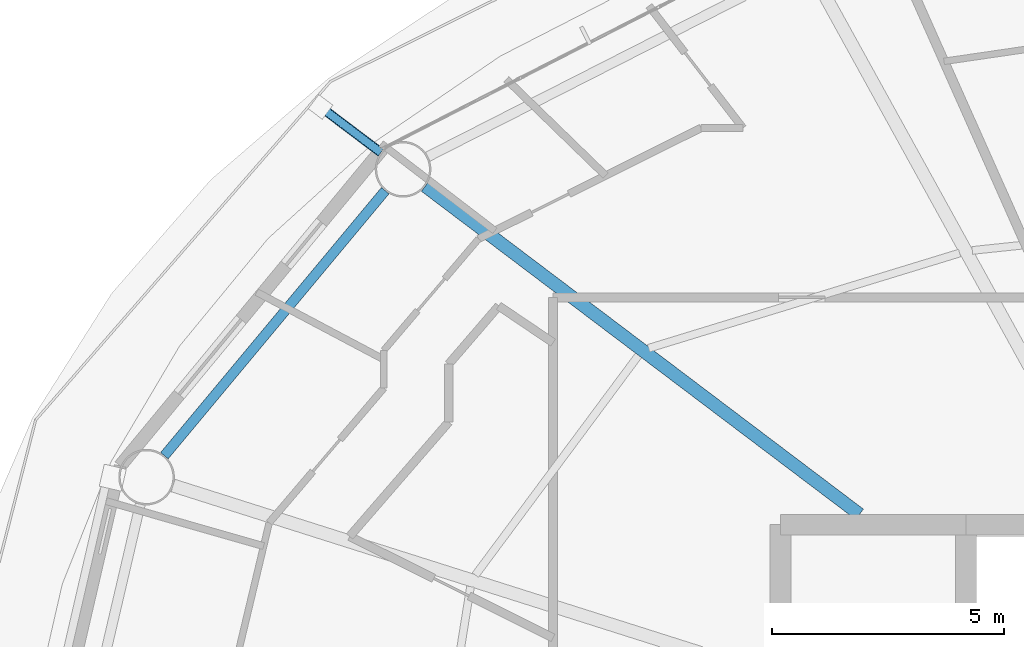
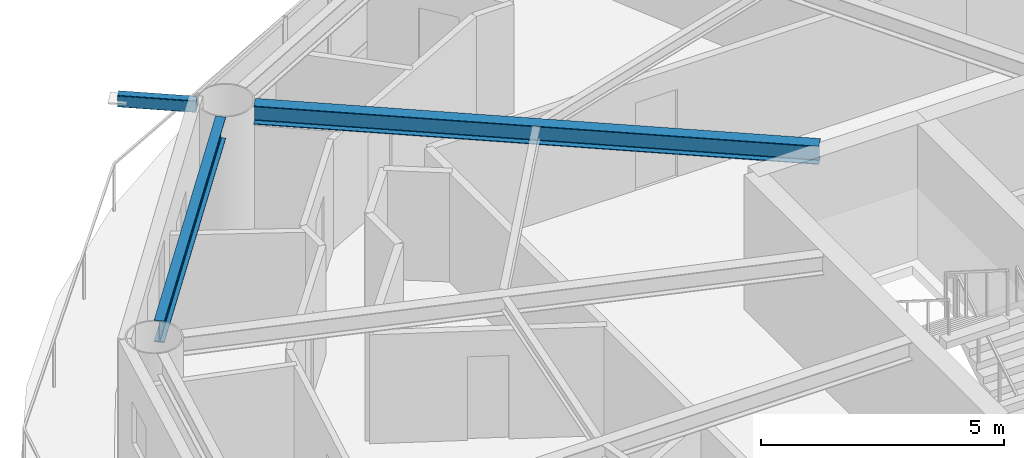
# One storey, part 10 of 28: 2 beams, 1 member.
"""IFC4 building model written with IfcOpenShell, lengths in metres."""

from ifc_helpers import new_model, si_unit, direction, frame, origin, origin_2d, place, context, subcontext, project, spatial, hollow_rectangle, i_section, extrude, material, material_profile, profile_set, type_object, element, save


model = new_model("IFC4")

# Units and contexts
model_context = context("Model", 3, precision=1e-05, world=origin(), true_north=direction((0.0, 1.0)))
body_context = subcontext(model_context, "Body", "Model", "MODEL_VIEW")
ifc_project = project(units=[si_unit("LENGTHUNIT", "METRE"), si_unit("AREAUNIT", "SQUARE_METRE"), si_unit("VOLUMEUNIT", "CUBIC_METRE"), si_unit("PLANEANGLEUNIT", "RADIAN"), si_unit("MASSUNIT", "GRAM", prefix="KILO")], contexts=[model_context])

# Site, building, storey
site_placement = place(None, origin())
site = spatial("IfcSite", under=ifc_project, at=site_placement, CompositionType="ELEMENT")
building_placement = place(site_placement, origin())
building = spatial("IfcBuilding", under=site, at=building_placement, Name="Sarneth Arch Tower", CompositionType="ELEMENT")
storey_placement = place(building_placement, frame((0.0, 0.0, 190.199951171875)))
storey = spatial("IfcBuildingStorey", under=building, at=storey_placement, Name="L48", CompositionType="ELEMENT", Elevation=190.199951171875)

# Beams
ifc_material_1 = material(Name="Steel S355", Category="steel")
ifc_material_profile_1 = material_profile(ifc_material_1, i_section(OverallWidth=0.280029296875, OverallDepth=0.462890625, WebThickness=0.0107421875, FlangeThickness=0.017333984375, FilletRadius=0.01806640625, at=origin_2d()), Name="W460x113")
ifc_profile_set_1 = profile_set([ifc_material_profile_1], Name="Steel S355")
beam_type_1 = type_object("IfcBeamType", Name="BM-RAD-460A", PredefinedType="BEAM", material=ifc_profile_set_1)
beam_1_placement = place(storey_placement, frame((38.70458984375, 49.02490234375, 3.1484375), z_axis=(-0.797784574467, 0.602942594898, 0.0), x_axis=(-0.602942594898, -0.797784574467, 0.0)))
element("IfcBeam", 1, at=beam_1_placement, inside=storey, type_object=beam_type_1, Name="L48 Radial floor girder 07", PredefinedType="BEAM", context=body_context, shape_type="SweptSolid", body=[
    extrude(i_section(OverallWidth=0.280029296875, OverallDepth=0.462890625, WebThickness=0.0107421875, FlangeThickness=0.017333984375, FilletRadius=0.01806640625, at=origin_2d()), origin(), (0.0, 0.0, 1.0), 11.73193359375),
])
ifc_material_2 = material(Name="Steel S355", Category="steel")
ifc_material_profile_2 = material_profile(ifc_material_2, i_section(OverallWidth=0.214111328125, OverallDepth=0.549072265625, WebThickness=0.0146484375, FlangeThickness=0.023681640625, FilletRadius=0.01806640625, at=origin_2d()), Name="W530x138")
ifc_profile_set_2 = profile_set([ifc_material_profile_2], Name="Steel S355")
beam_type_2 = type_object("IfcBeamType", Name="BM-RAD-530A", PredefinedType="BEAM", material=ifc_profile_set_2)
beam_2_placement = place(storey_placement, frame((28.482177734375, 55.99951171875, 3.10546875), z_axis=(-0.640161793626, -0.768240117399, 0.0), x_axis=(0.768240117399, -0.640161793626, 0.0)))
element("IfcBeam", 2, at=beam_2_placement, inside=storey, type_object=beam_type_2, Name="L48 Perimeter spandrel beam 07", PredefinedType="BEAM", context=body_context, shape_type="SweptSolid", body=[
    extrude(i_section(OverallWidth=0.214111328125, OverallDepth=0.549072265625, WebThickness=0.0146484375, FlangeThickness=0.023681640625, FilletRadius=0.01806640625, at=origin_2d()), origin(), (0.0, 0.0, 1.0), 7.43603515625),
])

# Member
ifc_material_3 = material(Name="Steel S355", Category="steel")
ifc_material_profile_3 = material_profile(ifc_material_3, hollow_rectangle(XDim=0.199951171875, YDim=0.300048828125, WallThickness=0.012451171875, InnerFilletRadius=0.018798828125, OuterFilletRadius=0.03125, at=origin_2d()), Name="RHS300x200x12.5")
ifc_profile_set_3 = profile_set([ifc_material_profile_3], Name="Steel S355")
member_type = type_object("IfcMemberType", Name="MEM-CANT-STRUT", PredefinedType="STRUT", material=ifc_profile_set_3)
member_placement = place(storey_placement, frame((28.387451171875, 56.822021484375, 3.219970703125), z_axis=(-0.797764810457, 0.602968744793, 0.0), x_axis=(-0.602968744793, -0.797764810457, 0.0)))
element("IfcMember", 3, at=member_placement, inside=storey, type_object=member_type, Name="L48 Balcony cantilever bracket 07", PredefinedType="STRUT", context=body_context, shape_type="SweptSolid", body=[
    extrude(hollow_rectangle(XDim=0.199951171875, YDim=0.300048828125, WallThickness=0.012451171875, InnerFilletRadius=0.018798828125, OuterFilletRadius=0.03125, at=origin_2d()), origin(), (0.0, 0.0, 1.0), 1.62939453125),
])

save(model, "model.ifc")
